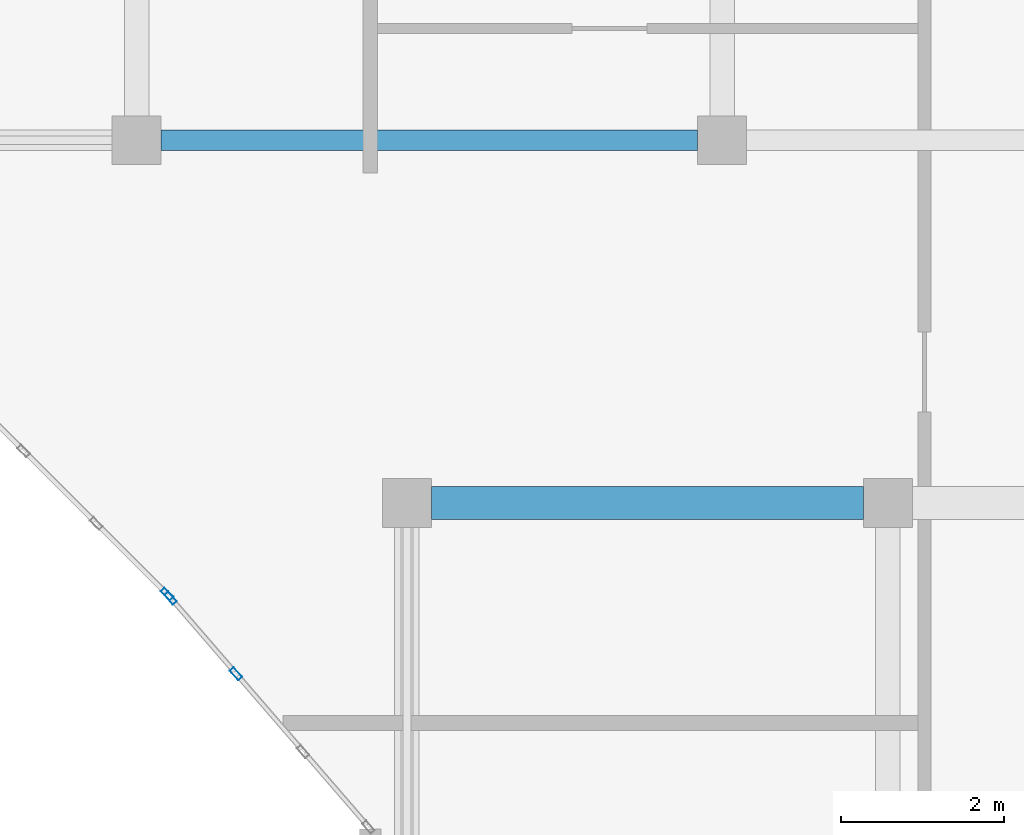
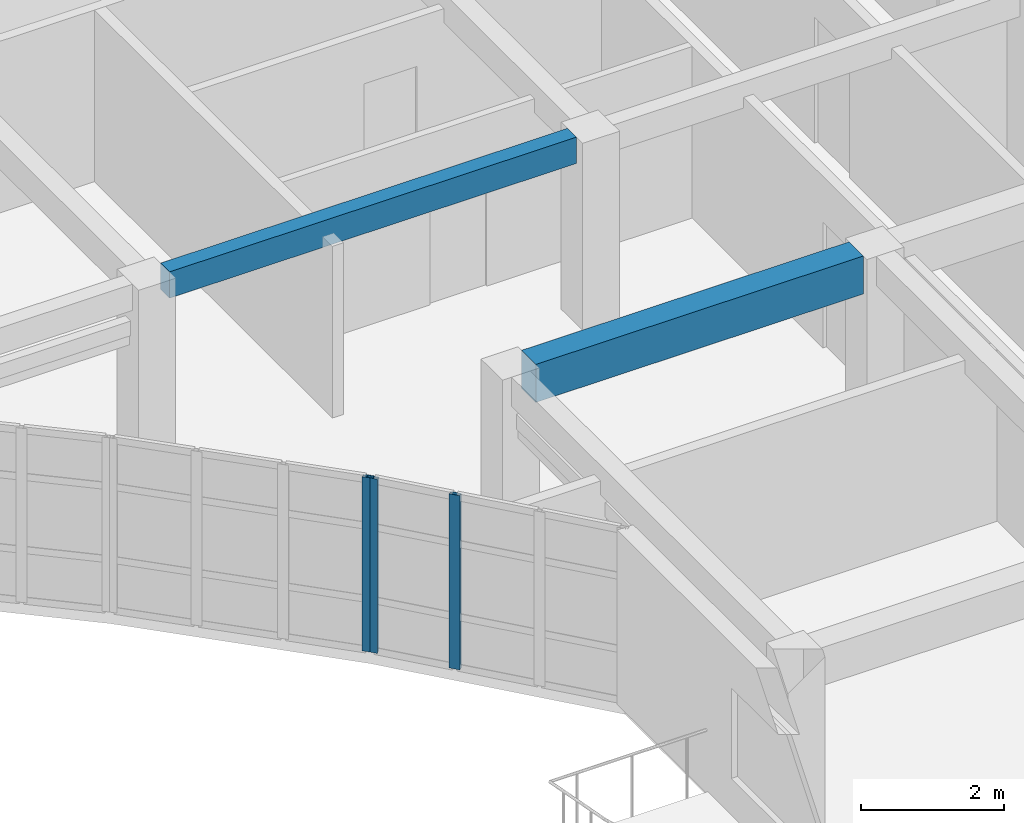
# One storey, part 14 of 76: 3 members, 2 beams, 2 elements without a shape of their own.
"""IFC4 building model written with IfcOpenShell, lengths in metres."""

from ifc_helpers import new_model, si_unit, direction, frame, origin, origin_2d, place, context, subcontext, project, spatial, rectangle, hollow_rectangle, extrude, material, layer, layer_set, material_profile, profile_set, type_object, element, aggregate, save


model = new_model("IFC4")

# Units and contexts
model_context = context("Model", 3, precision=1e-05, world=origin(), true_north=direction((0.0, 1.0)))
body_context = subcontext(model_context, "Body", "Model", "MODEL_VIEW")
ifc_project = project(units=[si_unit("LENGTHUNIT", "METRE"), si_unit("AREAUNIT", "SQUARE_METRE"), si_unit("VOLUMEUNIT", "CUBIC_METRE"), si_unit("PLANEANGLEUNIT", "RADIAN"), si_unit("MASSUNIT", "GRAM", prefix="KILO")], contexts=[model_context])

# Site, building, storey
site_placement = place(None, origin())
site = spatial("IfcSite", under=ifc_project, at=site_placement, CompositionType="ELEMENT")
building_placement = place(site_placement, origin())
building = spatial("IfcBuilding", under=site, at=building_placement, Name="Keldmere Railside Commons", CompositionType="ELEMENT")
storey_placement = place(building_placement, frame((0.0, 0.0, 13.760009765625)))
storey = spatial("IfcBuildingStorey", under=building, at=storey_placement, Name="L04", CompositionType="ELEMENT", Elevation=13.760009765625)

# Beams
ifc_material_1 = material(Name="Architectural Precast Concrete H-35 (C35/45)", Category="concrete")
ifc_material_profile_1 = material_profile(ifc_material_1, rectangle(XDim=0.25, YDim=0.449951171875, at=origin_2d()), Name="RC-250x450")
ifc_profile_set_1 = profile_set([ifc_material_profile_1], Name="Architectural Precast Concrete H-35 (C35/45)")
beam_type_1 = type_object("IfcBeamType", Name="Perimeter Precast Spandrel Beam 250x450", PredefinedType="SPANDREL", material=ifc_profile_set_1)
beam_1_placement = place(storey_placement, frame((101.43310546875, 100.449951171875, 2.97509765625), z_axis=(1.0, 0.0, 0.0), x_axis=(0.0, 1.0, 0.0)))
element("IfcBeam", 1, at=beam_1_placement, inside=storey, type_object=beam_type_1, Name="SPB-1 BM-L04-1559", PredefinedType="SPANDREL", context=body_context, shape_type="SweptSolid", body=[
    extrude(rectangle(XDim=0.25, YDim=0.449951171875, at=origin_2d()), origin(), (0.0, 0.0, 1.0), 6.583984375),
])
ifc_material_2 = material(Name="Concrete H-30 (C30/37)", Category="concrete")
ifc_material_profile_2 = material_profile(ifc_material_2, rectangle(XDim=0.39990234375, YDim=0.64990234375, at=origin_2d()), Name="RC-400x650")
ifc_profile_set_2 = profile_set([ifc_material_profile_2], Name="Concrete H-30 (C30/37)")
beam_type_2 = type_object("IfcBeamType", Name="Residential Spine RC Girder 400x650", PredefinedType="BEAM", material=ifc_profile_set_2)
beam_2_placement = place(storey_placement, frame((104.75, 96.0, 2.875), z_axis=(1.0, 0.0, 0.0), x_axis=(0.0, 1.0, 0.0)))
element("IfcBeam", 2, at=beam_2_placement, inside=storey, type_object=beam_type_2, Name="BG-3 BM-L04-1550", PredefinedType="BEAM", context=body_context, shape_type="SweptSolid", body=[
    extrude(rectangle(XDim=0.39990234375, YDim=0.64990234375, at=origin_2d()), origin(), (0.0, 0.0, 1.0), 5.300048828125),
])

# Curtain wall, member
ifc_material_3 = material(Name="Thermally Broken Aluminium", Category="aluminium")
ifc_layer_1 = layer(ifc_material_3, 0.159912109375, Name="Court Chord Wintergarden CW 5400x2850")
ifc_layer_set_1 = layer_set([ifc_layer_1], Name="Thermally Broken Aluminium")
curtain_wall_type_1 = type_object("IfcCurtainWallType", Name="Court Chord Wintergarden CW 5400x2850", PredefinedType="NOTDEFINED", material=ifc_layer_set_1)
curtain_wall_1_placement = place(storey_placement, origin())
curtain_wall_1 = element("IfcCurtainWall", 3, at=curtain_wall_1_placement, inside=storey, type_object=curtain_wall_type_1, Name="CW-13 CW-L04-113", PredefinedType="NOTDEFINED")
ifc_material_profile_3 = material_profile(ifc_material_3, hollow_rectangle(XDim=0.06494140625, YDim=0.159912109375, WallThickness=0.00390625, at=origin_2d()), Name="ALU-MULL-65x160")
ifc_profile_set_3 = profile_set([ifc_material_profile_3], Name="Thermally Broken Aluminium")
member_type = type_object("IfcMemberType", Name="Unitised Curtain Wall Mullion 65x160", PredefinedType="MULLION", material=ifc_profile_set_3)
member_1_placement = place(storey_placement, frame((101.507080078125, 94.880859375, 0.0), z_axis=(0.0, 0.0, 1.0), x_axis=(-0.707106781187, -0.707106781187, 0.0)))
member_1 = element("IfcMember", 4, at=member_1_placement, type_object=member_type, Name="CW-13 mullion 1", PredefinedType="MULLION", context=body_context, shape_type="SweptSolid", body=[
    extrude(hollow_rectangle(XDim=0.06494140625, YDim=0.159912109375, WallThickness=0.00390625, at=origin_2d()), origin(), (0.0, 0.0, 1.0), 2.97998046875),
])
aggregate(curtain_wall_1, [member_1])

# Curtain wall, members
ifc_layer_2 = layer(ifc_material_3, 0.159912109375, Name="Court Chord Wintergarden CW 4800x2850")
ifc_layer_set_2 = layer_set([ifc_layer_2], Name="Thermally Broken Aluminium")
curtain_wall_type_2 = type_object("IfcCurtainWallType", Name="Court Chord Wintergarden CW 4800x2850", PredefinedType="NOTDEFINED", material=ifc_layer_set_2)
curtain_wall_2_placement = place(storey_placement, origin())
curtain_wall_2 = element("IfcCurtainWall", 5, at=curtain_wall_2_placement, inside=storey, type_object=curtain_wall_type_2, Name="CW-12 CW-L04-114", PredefinedType="NOTDEFINED")
member_2_placement = place(storey_placement, frame((102.353271484375, 93.9052734375, 0.0), z_axis=(0.0, 0.0, 1.0), x_axis=(-0.756596767584, -0.653881741053, 0.0)))
member_2 = element("IfcMember", 6, at=member_2_placement, type_object=member_type, Name="CW-12 mullion 3", PredefinedType="MULLION", context=body_context, shape_type="SweptSolid", body=[
    extrude(hollow_rectangle(XDim=0.06494140625, YDim=0.159912109375, WallThickness=0.00390625, at=origin_2d()), origin(), (0.0, 0.0, 1.0), 2.97998046875),
])
member_3_placement = place(storey_placement, frame((101.55126953125, 94.83349609375, 0.0), z_axis=(0.0, 0.0, 1.0), x_axis=(-0.756596767584, -0.653881741053, 0.0)))
member_3 = element("IfcMember", 7, at=member_3_placement, type_object=member_type, Name="CW-12 mullion 4", PredefinedType="MULLION", context=body_context, shape_type="SweptSolid", body=[
    extrude(hollow_rectangle(XDim=0.06494140625, YDim=0.159912109375, WallThickness=0.00390625, at=origin_2d()), origin(), (0.0, 0.0, 1.0), 2.97998046875),
])
aggregate(curtain_wall_2, [member_2, member_3])

save(model, "model.ifc")
